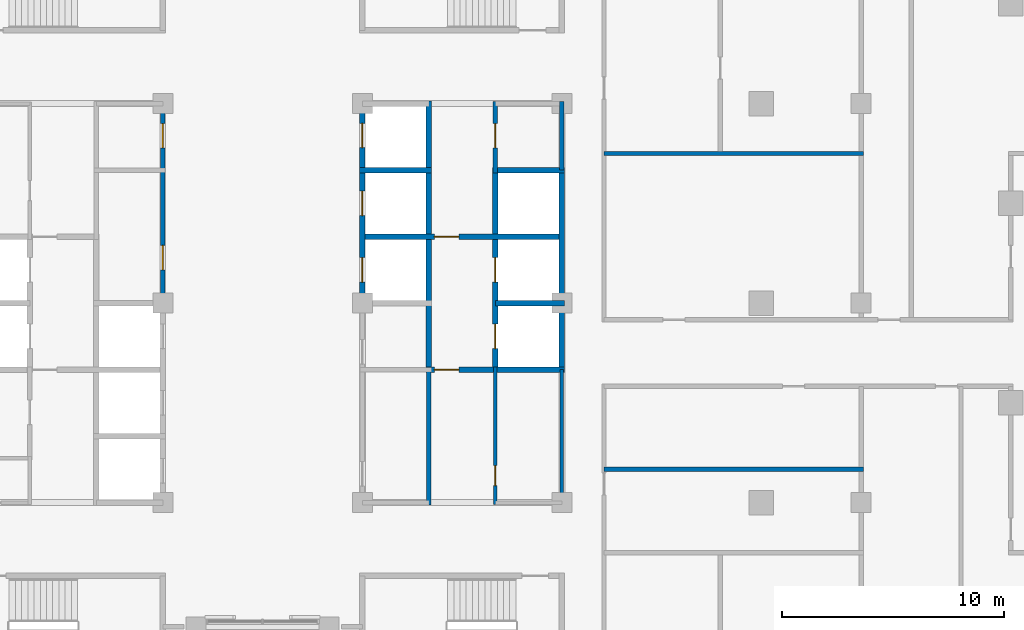
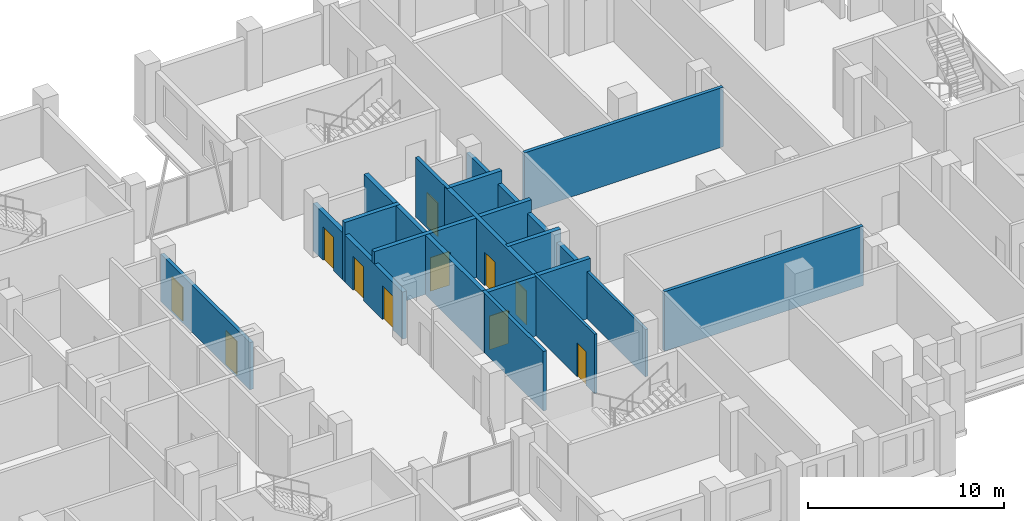
# One storey, part 9 of 16: 17 walls, 11 doors, 11 openings.
"""IFC4 building model written with IfcOpenShell, lengths in metres."""

from ifc_helpers import new_model, si_unit, direction, frame, frame_2d, origin, place, context, subcontext, project, spatial, rectangle, extrude, material, layer, layer_set, type_object, element, fill, save


model = new_model("IFC4")

# Units and contexts
model_context = context("Model", 3, precision=1e-05, world=origin(), true_north=direction((0.0, 1.0)))
body_context = subcontext(model_context, "Body", "Model", "MODEL_VIEW")
ifc_project = project(units=[si_unit("LENGTHUNIT", "METRE"), si_unit("AREAUNIT", "SQUARE_METRE"), si_unit("VOLUMEUNIT", "CUBIC_METRE"), si_unit("PLANEANGLEUNIT", "RADIAN"), si_unit("MASSUNIT", "GRAM", prefix="KILO")], contexts=[model_context])

# Site, building, storey
site_placement = place(None, origin())
site = spatial("IfcSite", under=ifc_project, at=site_placement, CompositionType="ELEMENT")
building_placement = place(site_placement, origin())
building = spatial("IfcBuilding", under=site, at=building_placement, Name="Corbelhall Arena Tower", CompositionType="ELEMENT")
storey_placement = place(building_placement, frame((0.0, 0.0, 170.0)))
storey = spatial("IfcBuildingStorey", under=building, at=storey_placement, Name="L34", CompositionType="ELEMENT", Elevation=170.0)

# Walls
ifc_material_1 = material(Name="Gypsum board on steel stud, acoustic", Category="steel")
ifc_layer_1 = layer(ifc_material_1, 0.199951171875)
ifc_layer_set_1 = layer_set([ifc_layer_1], Name="IN-W-DM200")
wall_type_1 = type_object("IfcWallType", Name="IN-W-DM200", PredefinedType="PARTITIONING", material=ifc_layer_set_1)
for number, where, z_axis, x_axis, name in (
    (1, (15.39990234375, -7.5, 0.0), (0.0, 0.0, 1.0), (1.0, 0.0, 0.0), "Partition 032"),
    (2, (15.39990234375, 6.75, 0.0), (0.0, 0.0, 1.0), (1.0, 0.0, 0.0), "Partition 034"),
):
    element("IfcWall", number, at=place(storey_placement, frame(where, z_axis=z_axis, x_axis=x_axis)), inside=storey, type_object=wall_type_1, Name=name, PredefinedType="PARTITIONING", context=body_context, shape_type="SweptSolid", body=[
        extrude(rectangle(XDim=11.7001953125, YDim=0.199951171875, at=frame_2d((5.85009765625, 0.0))), origin(), (0.0, 0.0, 1.0), 3.699951171875),
    ])
ifc_material_2 = material(Name="Concrete block wall", Category="concrete")
ifc_layer_2 = layer(ifc_material_2, 0.199951171875)
ifc_layer_set_2 = layer_set([ifc_layer_2], Name="IN-W-RS200")
wall_type_2 = type_object("IfcWallType", Name="IN-W-RS200", PredefinedType="SOLIDWALL", material=ifc_layer_set_2)
wall_1_placement = place(storey_placement, frame((7.5, -2.875, 0.0), z_axis=(0.0, 0.0, 1.0), x_axis=(0.0, -1.0, 0.0)))
element("IfcWall", 3, at=wall_1_placement, inside=storey, type_object=wall_type_2, Name="Partition 057", PredefinedType="SOLIDWALL", context=body_context, shape_type="SweptSolid", body=[
    extrude(rectangle(XDim=6.22509765625, YDim=0.199951171875, at=frame_2d((3.112548828125, 0.0))), origin(), (0.0, 0.0, 1.0), 3.699951171875),
])

# Wall, opening, door
wall_2_placement = place(storey_placement, frame((10.5, 9.10009765625, 0.0), z_axis=(0.0, 0.0, 1.0), x_axis=(0.0, -1.0, 0.0)))
wall_2 = element("IfcWall", 4, at=wall_2_placement, inside=storey, type_object=wall_type_2, Name="Partition 059", PredefinedType="SOLIDWALL", context=body_context, shape_type="SweptSolid", body=[
    extrude(rectangle(XDim=3.22509765625, YDim=0.199951171875, at=frame_2d((1.612548828125, 0.0))), origin(), (0.0, 0.0, 1.0), 3.699951171875),
])
opening_1_placement = place(wall_2_placement, frame((1.0, 0.0, 0.0)))
opening_1 = element("IfcOpeningElement", 5, at=opening_1_placement, cuts=wall_2, Name="Opening 10013", PredefinedType="OPENING", context=body_context, shape_type="SweptSolid", body=[
    extrude(rectangle(XDim=1.10009765625, YDim=2.10009765625, at=frame_2d((0.550048828125, 1.050048828125))), frame((0.0, 0.10009765625, 0.0), z_axis=(0.0, -1.0, 0.0), x_axis=(1.0, 0.0, 0.0)), (0.0, 0.0, 1.0), 0.199951171875),
])
ifc_material_3 = material(Name="Steel door set", Category="steel")
door_type_1 = type_object("IfcDoorType", Name="IN-D-FD110", OperationType="NOTDEFINED", PredefinedType="DOOR", material=ifc_material_3)
door_1_placement = place(opening_1_placement, origin())
door_1 = element("IfcDoor", 6, at=door_1_placement, inside=storey, type_object=door_type_1, Name="Door 013", OperationType="SINGLE_SWING_RIGHT", OverallHeight=2.10009765625, OverallWidth=1.10009765625, PredefinedType="DOOR", context=body_context, shape_type="SweptSolid", body=[
    extrude(rectangle(XDim=1.10009765625, YDim=2.10009765625, at=frame_2d((0.550048828125, 1.050048828125))), frame((0.0, 0.02490234375, 0.0), z_axis=(0.0, -1.0, 0.0), x_axis=(1.0, 0.0, 0.0)), (0.0, 0.0, 1.0), 0.050048828125),
])
fill(opening_1, door_1)

# Wall, openings, doors
ifc_layer_3 = layer(ifc_material_2, 0.199951171875)
ifc_layer_set_3 = layer_set([ifc_layer_3], Name="IN-W-RS200 under beam 762 mm")
wall_type_3 = type_object("IfcWallType", Name="IN-W-RS200 under beam 762 mm", PredefinedType="SOLIDWALL", material=ifc_layer_set_3)
wall_3_placement = place(storey_placement, frame((-4.5, 9.10009765625, 0.0), z_axis=(0.0, 0.0, 1.0), x_axis=(0.0, -1.0, 0.0)))
wall_3 = element("IfcWall", 7, at=wall_3_placement, inside=storey, type_object=wall_type_3, Name="Partition 053", PredefinedType="SOLIDWALL", context=body_context, shape_type="SweptSolid", body=[
    extrude(rectangle(XDim=9.10009765625, YDim=0.199951171875, at=frame_2d((4.550048828125, 0.0))), origin(), (0.0, 0.0, 1.0), 2.93798828125),
])
opening_2_placement = place(wall_3_placement, frame((6.5, 0.0, 0.0)))
opening_2 = element("IfcOpeningElement", 8, at=opening_2_placement, cuts=wall_3, Name="Opening 10001", PredefinedType="OPENING", context=body_context, shape_type="SweptSolid", body=[
    extrude(rectangle(XDim=1.10009765625, YDim=2.10009765625, at=frame_2d((0.550048828125, 1.050048828125))), frame((0.0, 0.10009765625, 0.0), z_axis=(0.0, -1.0, 0.0), x_axis=(1.0, 0.0, 0.0)), (0.0, 0.0, 1.0), 0.199951171875),
])
opening_3_placement = place(wall_3_placement, frame((1.0, 0.0, 0.0)))
opening_3 = element("IfcOpeningElement", 9, at=opening_3_placement, cuts=wall_3, Name="Opening 10002", PredefinedType="OPENING", context=body_context, shape_type="SweptSolid", body=[
    extrude(rectangle(XDim=1.10009765625, YDim=2.10009765625, at=frame_2d((0.550048828125, 1.050048828125))), frame((0.0, 0.10009765625, 0.0), z_axis=(0.0, -1.0, 0.0), x_axis=(1.0, 0.0, 0.0)), (0.0, 0.0, 1.0), 0.199951171875),
])
door_2_placement = place(opening_2_placement, origin())
door_2 = element("IfcDoor", 10, at=door_2_placement, inside=storey, type_object=door_type_1, Name="Door 001", OperationType="SINGLE_SWING_RIGHT", OverallHeight=2.10009765625, OverallWidth=1.10009765625, PredefinedType="DOOR", context=body_context, shape_type="SweptSolid", body=[
    extrude(rectangle(XDim=1.10009765625, YDim=2.10009765625, at=frame_2d((0.550048828125, 1.050048828125))), frame((0.0, 0.02490234375, 0.0), z_axis=(0.0, -1.0, 0.0), x_axis=(1.0, 0.0, 0.0)), (0.0, 0.0, 1.0), 0.050048828125),
])
fill(opening_2, door_2)
door_3_placement = place(opening_3_placement, origin())
door_3 = element("IfcDoor", 11, at=door_3_placement, inside=storey, type_object=door_type_1, Name="Door 002", OperationType="SINGLE_SWING_LEFT", OverallHeight=2.10009765625, OverallWidth=1.10009765625, PredefinedType="DOOR", context=body_context, shape_type="SweptSolid", body=[
    extrude(rectangle(XDim=1.10009765625, YDim=2.10009765625, at=frame_2d((0.550048828125, 1.050048828125))), frame((0.0, 0.02490234375, 0.0), z_axis=(0.0, -1.0, 0.0), x_axis=(1.0, 0.0, 0.0)), (0.0, 0.0, 1.0), 0.050048828125),
])
fill(opening_3, door_3)

# Wall
wall_4_placement = place(storey_placement, frame((13.5, 9.10009765625, 0.0), z_axis=(0.0, 0.0, 1.0), x_axis=(0.0, -1.0, 0.0)))
element("IfcWall", 12, at=wall_4_placement, inside=storey, type_object=wall_type_3, Name="Partition 060", PredefinedType="SOLIDWALL", context=body_context, shape_type="SweptSolid", body=[
    extrude(rectangle(XDim=3.10009765625, YDim=0.199951171875, at=frame_2d((1.550048828125, 0.0))), origin(), (0.0, 0.0, 1.0), 2.93798828125),
])

# Wall, opening, door
ifc_material_4 = material(Name="Concrete C40/50", Category="concrete")
ifc_layer_4 = layer(ifc_material_4, 0.25)
ifc_layer_set_4 = layer_set([ifc_layer_4], Name="IN-W-SH250")
wall_type_4 = type_object("IfcWallType", Name="IN-W-SH250", PredefinedType="SOLIDWALL", material=ifc_layer_set_4)
wall_5_placement = place(storey_placement, frame((4.375, 3.0, 0.0), z_axis=(0.0, 0.0, 1.0), x_axis=(1.0, 0.0, 0.0)))
wall_5 = element("IfcWall", 13, at=wall_5_placement, inside=storey, type_object=wall_type_4, Name="Shaft wall 072", PredefinedType="SOLIDWALL", context=body_context, shape_type="SweptSolid", body=[
    extrude(rectangle(XDim=9.25, YDim=0.25, at=frame_2d((4.625, 0.0))), origin(), (0.0, 0.0, 1.0), 3.699951171875),
])
opening_4_placement = place(wall_5_placement, frame((3.375, 0.0, 0.0)))
opening_4 = element("IfcOpeningElement", 14, at=opening_4_placement, cuts=wall_5, Name="Opening 10011", PredefinedType="OPENING", context=body_context, shape_type="SweptSolid", body=[
    extrude(rectangle(XDim=1.10009765625, YDim=2.10009765625, at=frame_2d((0.550048828125, 1.050048828125))), frame((0.0, 0.125, 0.0), z_axis=(0.0, -1.0, 0.0), x_axis=(1.0, 0.0, 0.0)), (0.0, 0.0, 1.0), 0.25),
])
door_4_placement = place(opening_4_placement, origin())
door_4 = element("IfcDoor", 15, at=door_4_placement, inside=storey, type_object=door_type_1, Name="Door 011", OperationType="SINGLE_SWING_RIGHT", OverallHeight=2.10009765625, OverallWidth=1.10009765625, PredefinedType="DOOR", context=body_context, shape_type="SweptSolid", body=[
    extrude(rectangle(XDim=1.10009765625, YDim=2.10009765625, at=frame_2d((0.550048828125, 1.050048828125))), frame((0.0, 0.02490234375, 0.0), z_axis=(0.0, -1.0, 0.0), x_axis=(1.0, 0.0, 0.0)), (0.0, 0.0, 1.0), 0.050048828125),
])
fill(opening_4, door_4)

# Wall
wall_6_placement = place(storey_placement, frame((4.375, 6.0, 0.0), z_axis=(0.0, 0.0, 1.0), x_axis=(1.0, 0.0, 0.0)))
element("IfcWall", 16, at=wall_6_placement, inside=storey, type_object=wall_type_4, Name="Shaft wall 073", PredefinedType="SOLIDWALL", context=body_context, shape_type="SweptSolid", body=[
    extrude(rectangle(XDim=3.25, YDim=0.25, at=frame_2d((1.625, 0.0))), origin(), (0.0, 0.0, 1.0), 3.699951171875),
])

# Wall, opening, door
wall_7_placement = place(storey_placement, frame((7.5, -3.0, 0.0), z_axis=(0.0, 0.0, 1.0), x_axis=(1.0, 0.0, 0.0)))
wall_7 = element("IfcWall", 17, at=wall_7_placement, inside=storey, type_object=wall_type_4, Name="Shaft wall 076", PredefinedType="SOLIDWALL", context=body_context, shape_type="SweptSolid", body=[
    extrude(rectangle(XDim=6.125, YDim=0.25, at=frame_2d((3.0625, 0.0))), origin(), (0.0, 0.0, 1.0), 3.699951171875),
])
opening_5_placement = place(wall_7_placement, frame((0.25, 0.0, 0.0)))
opening_5 = element("IfcOpeningElement", 18, at=opening_5_placement, cuts=wall_7, Name="Opening 10010", PredefinedType="OPENING", context=body_context, shape_type="SweptSolid", body=[
    extrude(rectangle(XDim=1.10009765625, YDim=2.10009765625, at=frame_2d((0.550048828125, 1.050048828125))), frame((0.0, 0.125, 0.0), z_axis=(0.0, -1.0, 0.0), x_axis=(1.0, 0.0, 0.0)), (0.0, 0.0, 1.0), 0.25),
])
door_5_placement = place(opening_5_placement, origin())
door_5 = element("IfcDoor", 19, at=door_5_placement, inside=storey, type_object=door_type_1, Name="Door 010", OperationType="SINGLE_SWING_LEFT", OverallHeight=2.10009765625, OverallWidth=1.10009765625, PredefinedType="DOOR", context=body_context, shape_type="SweptSolid", body=[
    extrude(rectangle(XDim=1.10009765625, YDim=2.10009765625, at=frame_2d((0.550048828125, 1.050048828125))), frame((0.0, 0.02490234375, 0.0), z_axis=(0.0, -1.0, 0.0), x_axis=(1.0, 0.0, 0.0)), (0.0, 0.0, 1.0), 0.050048828125),
])
fill(opening_5, door_5)

# Walls
wall_8_placement = place(storey_placement, frame((7.5, 9.125, 0.0), z_axis=(0.0, 0.0, 1.0), x_axis=(0.0, -1.0, 0.0)))
element("IfcWall", 20, at=wall_8_placement, inside=storey, type_object=wall_type_4, Name="Shaft wall 077", PredefinedType="SOLIDWALL", context=body_context, shape_type="SweptSolid", body=[
    extrude(rectangle(XDim=12.25, YDim=0.25, at=frame_2d((6.125, 0.0))), origin(), (0.0, 0.0, 1.0), 3.699951171875),
])
wall_9_placement = place(storey_placement, frame((10.5, 0.0, 0.0), z_axis=(0.0, 0.0, 1.0), x_axis=(1.0, 0.0, 0.0)))
element("IfcWall", 21, at=wall_9_placement, inside=storey, type_object=wall_type_4, Name="Shaft wall 078", PredefinedType="SOLIDWALL", context=body_context, shape_type="SweptSolid", body=[
    extrude(rectangle(XDim=3.125, YDim=0.25, at=frame_2d((1.5625, 0.0))), origin(), (0.0, 0.0, 1.0), 3.699951171875),
])

# Wall, openings, doors
wall_10_placement = place(storey_placement, frame((10.5, 6.125, 0.0), z_axis=(0.0, 0.0, 1.0), x_axis=(0.0, -1.0, 0.0)))
wall_10 = element("IfcWall", 22, at=wall_10_placement, inside=storey, type_object=wall_type_4, Name="Shaft wall 079", PredefinedType="SOLIDWALL", context=body_context, shape_type="SweptSolid", body=[
    extrude(rectangle(XDim=9.25, YDim=0.25, at=frame_2d((4.625, 0.0))), origin(), (0.0, 0.0, 1.0), 3.699951171875),
])
opening_6_placement = place(wall_10_placement, frame((7.074951171875, 0.0, 0.0)))
opening_6 = element("IfcOpeningElement", 23, at=opening_6_placement, cuts=wall_10, Name="Opening LD", PredefinedType="OPENING", context=body_context, shape_type="SweptSolid", body=[
    extrude(rectangle(XDim=1.10009765625, YDim=2.10009765625, at=frame_2d((0.550048828125, 1.050048828125))), frame((0.0, 0.125, 0.0), z_axis=(0.0, -1.0, 0.0), x_axis=(1.0, 0.0, 0.0)), (0.0, 0.0, 1.0), 0.25),
])
opening_7_placement = place(wall_10_placement, frame((4.074951171875, 0.0, 0.0)))
opening_7 = element("IfcOpeningElement", 24, at=opening_7_placement, cuts=wall_10, Name="Opening LD", PredefinedType="OPENING", context=body_context, shape_type="SweptSolid", body=[
    extrude(rectangle(XDim=1.10009765625, YDim=2.10009765625, at=frame_2d((0.550048828125, 1.050048828125))), frame((0.0, 0.125, 0.0), z_axis=(0.0, -1.0, 0.0), x_axis=(1.0, 0.0, 0.0)), (0.0, 0.0, 1.0), 0.25),
])
door_type_2 = type_object("IfcDoorType", Name="IN-D-LD110", OperationType="NOTDEFINED", PredefinedType="DOOR", material=ifc_material_3)
door_6_placement = place(opening_6_placement, origin())
door_6 = element("IfcDoor", 25, at=door_6_placement, inside=storey, type_object=door_type_2, Name="Landing door E3", OperationType="SLIDING_TO_LEFT", OverallHeight=2.10009765625, OverallWidth=1.10009765625, PredefinedType="DOOR", context=body_context, shape_type="SweptSolid", body=[
    extrude(rectangle(XDim=1.10009765625, YDim=2.10009765625, at=frame_2d((0.550048828125, 1.050048828125))), frame((0.0, 0.02490234375, 0.0), z_axis=(0.0, -1.0, 0.0), x_axis=(1.0, 0.0, 0.0)), (0.0, 0.0, 1.0), 0.050048828125),
])
fill(opening_6, door_6)
door_7_placement = place(opening_7_placement, origin())
door_7 = element("IfcDoor", 26, at=door_7_placement, inside=storey, type_object=door_type_2, Name="Landing door E4", OperationType="SLIDING_TO_LEFT", OverallHeight=2.10009765625, OverallWidth=1.10009765625, PredefinedType="DOOR", context=body_context, shape_type="SweptSolid", body=[
    extrude(rectangle(XDim=1.10009765625, YDim=2.10009765625, at=frame_2d((0.550048828125, 1.050048828125))), frame((0.0, 0.02490234375, 0.0), z_axis=(0.0, -1.0, 0.0), x_axis=(1.0, 0.0, 0.0)), (0.0, 0.0, 1.0), 0.050048828125),
])
fill(opening_7, door_7)

# Wall
wall_11_placement = place(storey_placement, frame((10.5, 6.0, 0.0), z_axis=(0.0, 0.0, 1.0), x_axis=(1.0, 0.0, 0.0)))
element("IfcWall", 27, at=wall_11_placement, inside=storey, type_object=wall_type_4, Name="Shaft wall 080", PredefinedType="SOLIDWALL", context=body_context, shape_type="SweptSolid", body=[
    extrude(rectangle(XDim=3.125, YDim=0.25, at=frame_2d((1.5625, 0.0))), origin(), (0.0, 0.0, 1.0), 3.699951171875),
])

# Wall, openings, doors
ifc_layer_5 = layer(ifc_material_4, 0.25)
ifc_layer_set_5 = layer_set([ifc_layer_5], Name="IN-W-SH250 under beam 762 mm")
wall_type_5 = type_object("IfcWallType", Name="IN-W-SH250 under beam 762 mm", PredefinedType="SOLIDWALL", material=ifc_layer_set_5)
wall_12_placement = place(storey_placement, frame((4.5, 0.0, 0.0), z_axis=(0.0, 0.0, 1.0), x_axis=(0.0, 1.0, 0.0)))
wall_12 = element("IfcWall", 28, at=wall_12_placement, inside=storey, type_object=wall_type_5, Name="Shaft wall 074", PredefinedType="SOLIDWALL", context=body_context, shape_type="SweptSolid", body=[
    extrude(rectangle(XDim=9.125, YDim=0.25, at=frame_2d((4.5625, 0.0))), origin(), (0.0, 0.0, 1.0), 2.93798828125),
])
opening_8_placement = place(wall_12_placement, frame((0.949951171875, 0.0, 0.0)))
opening_8 = element("IfcOpeningElement", 29, at=opening_8_placement, cuts=wall_12, Name="Opening LD", PredefinedType="OPENING", context=body_context, shape_type="SweptSolid", body=[
    extrude(rectangle(XDim=1.10009765625, YDim=2.10009765625, at=frame_2d((0.550048828125, 1.050048828125))), frame((0.0, 0.125, 0.0), z_axis=(0.0, -1.0, 0.0), x_axis=(1.0, 0.0, 0.0)), (0.0, 0.0, 1.0), 0.25),
])
opening_9_placement = place(wall_12_placement, frame((3.949951171875, 0.0, 0.0)))
opening_9 = element("IfcOpeningElement", 30, at=opening_9_placement, cuts=wall_12, Name="Opening LD", PredefinedType="OPENING", context=body_context, shape_type="SweptSolid", body=[
    extrude(rectangle(XDim=1.10009765625, YDim=2.10009765625, at=frame_2d((0.550048828125, 1.050048828125))), frame((0.0, 0.125, 0.0), z_axis=(0.0, -1.0, 0.0), x_axis=(1.0, 0.0, 0.0)), (0.0, 0.0, 1.0), 0.25),
])
opening_10_placement = place(wall_12_placement, frame((7.012451171875, 0.0, 0.0)))
opening_10 = element("IfcOpeningElement", 31, at=opening_10_placement, cuts=wall_12, Name="Opening LD", PredefinedType="OPENING", context=body_context, shape_type="SweptSolid", body=[
    extrude(rectangle(XDim=1.10009765625, YDim=2.10009765625, at=frame_2d((0.550048828125, 1.050048828125))), frame((0.0, 0.125, 0.0), z_axis=(0.0, -1.0, 0.0), x_axis=(1.0, 0.0, 0.0)), (0.0, 0.0, 1.0), 0.25),
])
door_8_placement = place(opening_8_placement, origin())
door_8 = element("IfcDoor", 32, at=door_8_placement, inside=storey, type_object=door_type_2, Name="Landing door E4", OperationType="SLIDING_TO_LEFT", OverallHeight=2.10009765625, OverallWidth=1.10009765625, PredefinedType="DOOR", context=body_context, shape_type="SweptSolid", body=[
    extrude(rectangle(XDim=1.10009765625, YDim=2.10009765625, at=frame_2d((0.550048828125, 1.050048828125))), frame((0.0, 0.02490234375, 0.0), z_axis=(0.0, -1.0, 0.0), x_axis=(1.0, 0.0, 0.0)), (0.0, 0.0, 1.0), 0.050048828125),
])
fill(opening_8, door_8)
door_9_placement = place(opening_9_placement, origin())
door_9 = element("IfcDoor", 33, at=door_9_placement, inside=storey, type_object=door_type_2, Name="Landing door E5", OperationType="SLIDING_TO_LEFT", OverallHeight=2.10009765625, OverallWidth=1.10009765625, PredefinedType="DOOR", context=body_context, shape_type="SweptSolid", body=[
    extrude(rectangle(XDim=1.10009765625, YDim=2.10009765625, at=frame_2d((0.550048828125, 1.050048828125))), frame((0.0, 0.02490234375, 0.0), z_axis=(0.0, -1.0, 0.0), x_axis=(1.0, 0.0, 0.0)), (0.0, 0.0, 1.0), 0.050048828125),
])
fill(opening_9, door_9)
door_10_placement = place(opening_10_placement, origin())
door_10 = element("IfcDoor", 34, at=door_10_placement, inside=storey, type_object=door_type_2, Name="Landing door E6", OperationType="SLIDING_TO_LEFT", OverallHeight=2.10009765625, OverallWidth=1.10009765625, PredefinedType="DOOR", context=body_context, shape_type="SweptSolid", body=[
    extrude(rectangle(XDim=1.10009765625, YDim=2.10009765625, at=frame_2d((0.550048828125, 1.050048828125))), frame((0.0, 0.02490234375, 0.0), z_axis=(0.0, -1.0, 0.0), x_axis=(1.0, 0.0, 0.0)), (0.0, 0.0, 1.0), 0.050048828125),
])
fill(opening_10, door_10)

# Wall
wall_13_placement = place(storey_placement, frame((13.5, 6.0, 0.0), z_axis=(0.0, 0.0, 1.0), x_axis=(0.0, -1.0, 0.0)))
element("IfcWall", 35, at=wall_13_placement, inside=storey, type_object=wall_type_5, Name="Shaft wall 081", PredefinedType="SOLIDWALL", context=body_context, shape_type="SweptSolid", body=[
    extrude(rectangle(XDim=9.0, YDim=0.25, at=frame_2d((4.5, 0.0))), origin(), (0.0, 0.0, 1.0), 2.93798828125),
])

# Wall, opening, door
ifc_material_5 = material(Name="Gypsum board on steel stud, moisture resistant", Category="steel")
ifc_layer_6 = layer(ifc_material_5, 0.14990234375)
ifc_layer_set_6 = layer_set([ifc_layer_6], Name="IN-W-WC150")
wall_type_6 = type_object("IfcWallType", Name="IN-W-WC150", PredefinedType="PARTITIONING", material=ifc_layer_set_6)
wall_14_placement = place(storey_placement, frame((10.5, -2.875, 0.0), z_axis=(0.0, 0.0, 1.0), x_axis=(0.0, -1.0, 0.0)))
wall_14 = element("IfcWall", 36, at=wall_14_placement, inside=storey, type_object=wall_type_6, Name="Partition 117", PredefinedType="PARTITIONING", context=body_context, shape_type="SweptSolid", body=[
    extrude(rectangle(XDim=6.199951171875, YDim=0.14990234375, at=frame_2d((3.10009765625, 0.0))), origin(), (0.0, 0.0, 1.0), 3.699951171875),
])
opening_11_placement = place(wall_14_placement, frame((4.449951171875, 0.0, 0.0)))
opening_11 = element("IfcOpeningElement", 37, at=opening_11_placement, cuts=wall_14, Name="Opening 10012", PredefinedType="OPENING", context=body_context, shape_type="SweptSolid", body=[
    extrude(rectangle(XDim=0.89990234375, YDim=2.10009765625, at=frame_2d((0.449951171875, 1.050048828125))), frame((0.0, 0.074951171875, 0.0), z_axis=(0.0, -1.0, 0.0), x_axis=(1.0, 0.0, 0.0)), (0.0, 0.0, 1.0), 0.14990234375),
])
ifc_material_6 = material(Name="Timber door set", Category="wood")
door_type_3 = type_object("IfcDoorType", Name="IN-D-SW90", OperationType="NOTDEFINED", PredefinedType="DOOR", material=ifc_material_6)
door_11_placement = place(opening_11_placement, origin())
door_11 = element("IfcDoor", 38, at=door_11_placement, inside=storey, type_object=door_type_3, Name="Door 012", OperationType="SINGLE_SWING_LEFT", OverallHeight=2.10009765625, OverallWidth=0.89990234375, PredefinedType="DOOR", context=body_context, shape_type="SweptSolid", body=[
    extrude(rectangle(XDim=0.89990234375, YDim=2.10009765625, at=frame_2d((0.449951171875, 1.050048828125))), frame((0.0, 0.02490234375, 0.0), z_axis=(0.0, -1.0, 0.0), x_axis=(1.0, 0.0, 0.0)), (0.0, 0.0, 1.0), 0.050048828125),
])
fill(opening_11, door_11)

# Wall
ifc_layer_7 = layer(ifc_material_5, 0.14990234375)
ifc_layer_set_7 = layer_set([ifc_layer_7], Name="IN-W-WC150 under beam 762 mm")
wall_type_7 = type_object("IfcWallType", Name="IN-W-WC150 under beam 762 mm", PredefinedType="PARTITIONING", material=ifc_layer_set_7)
wall_15_placement = place(storey_placement, frame((13.5, -3.0, 0.0), z_axis=(0.0, 0.0, 1.0), x_axis=(0.0, -1.0, 0.0)))
element("IfcWall", 39, at=wall_15_placement, inside=storey, type_object=wall_type_7, Name="Partition 119", PredefinedType="PARTITIONING", context=body_context, shape_type="SweptSolid", body=[
    extrude(rectangle(XDim=6.074951171875, YDim=0.14990234375, at=frame_2d((3.03759765625, 0.0))), origin(), (0.0, 0.0, 1.0), 2.93798828125),
])

save(model, "model.ifc")
